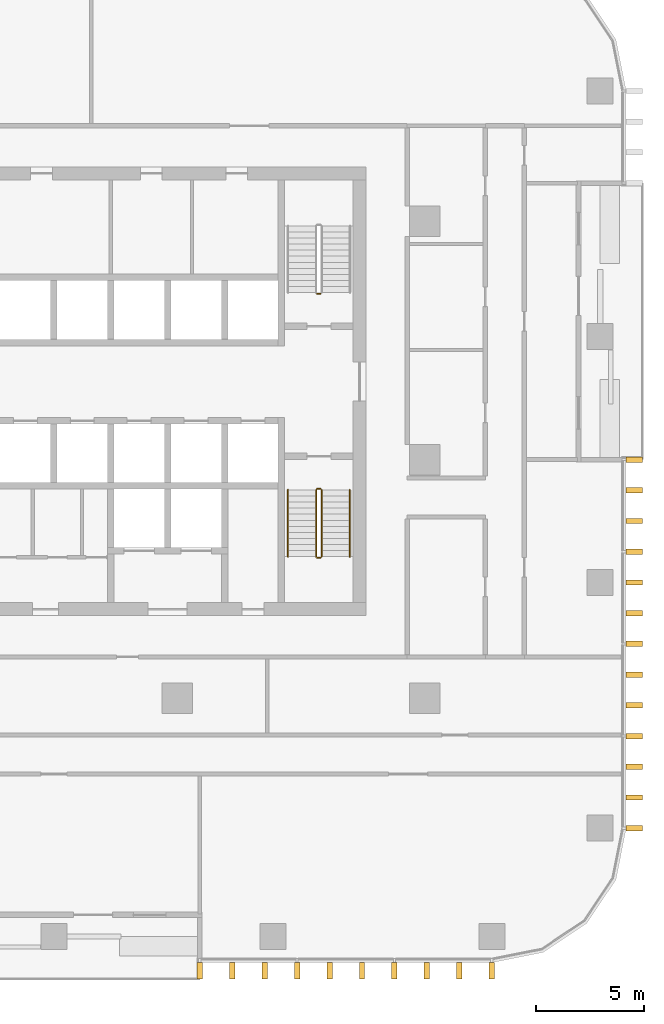
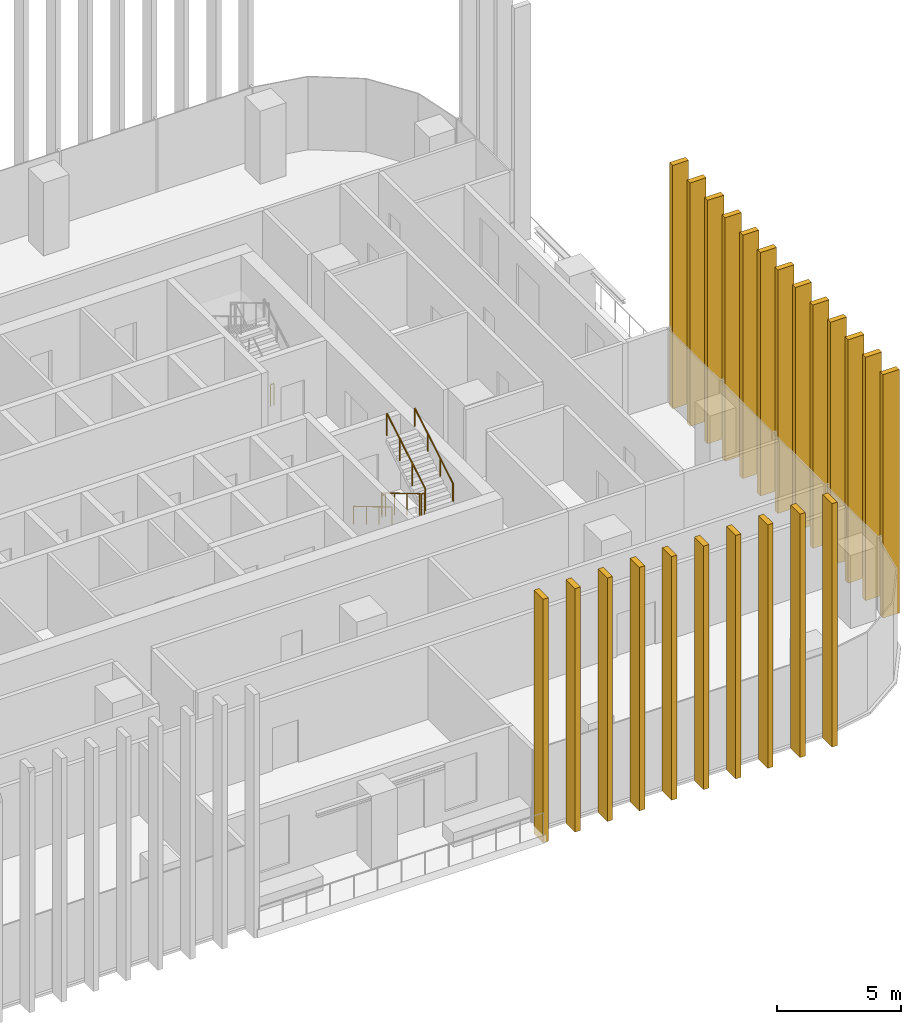
# One storey, part 14 of 15: 23 shading devices, 6 railings.
"""IFC4 building model written with IfcOpenShell, lengths in metres."""

from ifc_helpers import new_model, si_unit, direction, frame, origin, origin_2d, place, context, subcontext, project, spatial, rectangle, circle, extrude, material, type_object, element, save


model = new_model("IFC4")

# Units and contexts
model_context = context("Model", 3, precision=1e-05, world=origin(), true_north=direction((0.0, 1.0)))
body_context = subcontext(model_context, "Body", "Model", "MODEL_VIEW")
ifc_project = project(units=[si_unit("LENGTHUNIT", "METRE"), si_unit("AREAUNIT", "SQUARE_METRE"), si_unit("VOLUMEUNIT", "CUBIC_METRE"), si_unit("PLANEANGLEUNIT", "RADIAN"), si_unit("MASSUNIT", "GRAM", prefix="KILO")], contexts=[model_context])

# Site, building, storey
site_placement = place(None, origin())
site = spatial("IfcSite", under=ifc_project, at=site_placement, CompositionType="ELEMENT")
building_placement = place(site_placement, origin())
building = spatial("IfcBuilding", under=site, at=building_placement, Name="Mopane Tessera Tower", CompositionType="ELEMENT")
storey_placement = place(building_placement, frame((0.0, 0.0, 169.0)))
storey = spatial("IfcBuildingStorey", under=building, at=storey_placement, Name="L34", CompositionType="ELEMENT", Elevation=169.0)

# Shading devices
ifc_material_1 = material(Name="Glazed ceramic tile")
shading_device_type = type_object("IfcShadingDeviceType", Name="Ceramic tile fin 750 x 250 mm", PredefinedType="USERDEFINED", material=ifc_material_1)
for number, where, z_axis, x_axis, name in (
    (1, (6.7333984375, -23.574951171875, -0.39990234375), (0.0, 0.0, 1.0), (1.0, 0.0, 0.0), "e:fin:L34:S:6:0"),
    (2, (8.229736328125, -23.574951171875, -0.39990234375), (0.0, 0.0, 1.0), (1.0, 0.0, 0.0), "e:fin:L34:S:6:1"),
    (3, (9.725830078125, -23.574951171875, -0.39990234375), (0.0, 0.0, 1.0), (1.0, 0.0, 0.0), "e:fin:L34:S:6:2"),
    (4, (11.22216796875, -23.574951171875, -0.39990234375), (0.0, 0.0, 1.0), (1.0, 0.0, 0.0), "e:fin:L34:S:7:0"),
    (5, (12.718505859375, -23.574951171875, -0.39990234375), (0.0, 0.0, 1.0), (1.0, 0.0, 0.0), "e:fin:L34:S:7:1"),
    (6, (14.21484375, -23.574951171875, -0.39990234375), (0.0, 0.0, 1.0), (1.0, 0.0, 0.0), "e:fin:L34:S:7:2"),
    (7, (15.711181640625, -23.574951171875, -0.39990234375), (0.0, 0.0, 1.0), (1.0, 0.0, 0.0), "e:fin:L34:S:8:0"),
    (8, (17.20751953125, -23.574951171875, -0.39990234375), (0.0, 0.0, 1.0), (1.0, 0.0, 0.0), "e:fin:L34:S:8:1"),
    (9, (18.70361328125, -23.574951171875, -0.39990234375), (0.0, 0.0, 1.0), (1.0, 0.0, 0.0), "e:fin:L34:S:8:2"),
    (10, (20.199951171875, -23.574951171875, -0.39990234375), (0.0, 0.0, 1.0), (1.0, 0.0, 0.0), "e:fin:L34:S:8:3"),
    (11, (26.77490234375, -17.0, -0.39990234375), (0.0, 0.0, 1.0), (0.0, 1.0, 0.0), "e:fin:L34:E:0:0"),
    (12, (26.77490234375, -15.583251953125, -0.39990234375), (0.0, 0.0, 1.0), (0.0, 1.0, 0.0), "e:fin:L34:E:0:1"),
    (13, (26.77490234375, -14.166748046875, -0.39990234375), (0.0, 0.0, 1.0), (0.0, 1.0, 0.0), "e:fin:L34:E:0:2"),
    (14, (26.77490234375, -12.75, -0.39990234375), (0.0, 0.0, 1.0), (0.0, 1.0, 0.0), "e:fin:L34:E:1:0"),
    (15, (26.77490234375, -11.333251953125, -0.39990234375), (0.0, 0.0, 1.0), (0.0, 1.0, 0.0), "e:fin:L34:E:1:1"),
    (16, (26.77490234375, -9.916748046875, -0.39990234375), (0.0, 0.0, 1.0), (0.0, 1.0, 0.0), "e:fin:L34:E:1:2"),
    (17, (26.77490234375, -8.5, -0.39990234375), (0.0, 0.0, 1.0), (0.0, 1.0, 0.0), "e:fin:L34:E:2:0"),
    (18, (26.77490234375, -7.083251953125, -0.39990234375), (0.0, 0.0, 1.0), (0.0, 1.0, 0.0), "e:fin:L34:E:2:1"),
    (19, (26.77490234375, -5.666748046875, -0.39990234375), (0.0, 0.0, 1.0), (0.0, 1.0, 0.0), "e:fin:L34:E:2:2"),
    (20, (26.77490234375, -4.25, -0.39990234375), (0.0, 0.0, 1.0), (0.0, 1.0, 0.0), "e:fin:L34:E:3:0"),
    (21, (26.77490234375, -2.833251953125, -0.39990234375), (0.0, 0.0, 1.0), (0.0, 1.0, 0.0), "e:fin:L34:E:3:1"),
    (22, (26.77490234375, -1.416748046875, -0.39990234375), (0.0, 0.0, 1.0), (0.0, 1.0, 0.0), "e:fin:L34:E:3:2"),
    (23, (26.77490234375, 0.0, -0.39990234375), (0.0, 0.0, 1.0), (0.0, 1.0, 0.0), "e:fin:L34:E:3:3"),
):
    element("IfcShadingDevice", number, at=place(storey_placement, frame(where, z_axis=z_axis, x_axis=x_axis)), inside=storey, type_object=shading_device_type, Name=name, ObjectType="FIN", PredefinedType="USERDEFINED", context=body_context, shape_type="SweptSolid", body=[
        extrude(rectangle(XDim=0.25, YDim=0.75, at=origin_2d()), origin(), (0.0, 0.0, 1.0), 12.0),
    ])

# Railings
ifc_material_2 = material(Name="Powder-coated steel balustrade", Category="steel")
railing_type_1 = type_object("IfcRailingType", Name="Escape stair guard 1100 mm", PredefinedType="GUARDRAIL", material=ifc_material_2)
railing_1_placement = place(storey_placement, frame((12.10009765625, -1.39990234375, 0.166748046875)))
element("IfcRailing", 24, at=railing_1_placement, inside=storey, type_object=railing_type_1, Name="L34 ST3 stair guard 1", PredefinedType="GUARDRAIL", context=body_context, shape_type="SweptSolid", body=[
    extrude(circle(Radius=0.02392578125, at=origin_2d()), frame((0.0, 0.0, 1.076171875), z_axis=(0.0, -0.859308565015, 0.511457515432), x_axis=(1.0, 0.0, 0.0)), (0.0, 0.0, 1.0), 3.58447265625),
    extrude(circle(Radius=0.02392578125, at=origin_2d()), frame((0.0, -3.080078125, 2.9091796875), z_axis=(0.705375805398, -0.708833529934, 0.0), x_axis=(0.708833529934, 0.705375805398, 0.0)), (0.0, 0.0, 1.0), 0.070556640625),
    extrude(circle(Radius=0.02392578125, at=origin_2d()), frame((0.0498046875, -3.130126953125, 2.9091796875), z_axis=(1.0, 0.0, 0.0), x_axis=(0.0, 1.0, 0.0)), (0.0, 0.0, 1.0), 0.150146484375),
    extrude(circle(Radius=0.02099609375, at=origin_2d()), origin(), (0.0, 0.0, 1.0), 1.052001953125),
    extrude(circle(Radius=0.02099609375, at=origin_2d()), frame((0.0, -1.026611328125, 0.611083984375)), (0.0, 0.0, 1.0), 1.052001953125),
    extrude(circle(Radius=0.02099609375, at=origin_2d()), frame((0.0, -2.053466796875, 1.22216796875)), (0.0, 0.0, 1.0), 1.052001953125),
    extrude(circle(Radius=0.02099609375, at=origin_2d()), frame((0.0, -3.080078125, 1.833251953125)), (0.0, 0.0, 1.0), 1.052001953125),
    extrude(circle(Radius=0.02099609375, at=origin_2d()), frame((0.0498046875, -3.130126953125, 1.833251953125)), (0.0, 0.0, 1.0), 1.052001953125),
    extrude(circle(Radius=0.02099609375, at=origin_2d()), frame((0.199951171875, -3.130126953125, 1.833251953125)), (0.0, 0.0, 1.0), 1.052001953125),
])
railing_2_placement = place(storey_placement, frame((12.35009765625, -4.47998046875, 2.166748046875)))
element("IfcRailing", 25, at=railing_2_placement, inside=storey, type_object=railing_type_1, Name="L34 ST3 stair guard 2", PredefinedType="GUARDRAIL", context=body_context, shape_type="SweptSolid", body=[
    extrude(circle(Radius=0.02392578125, at=origin_2d()), frame((0.0, 0.0, 1.076171875), z_axis=(0.0, 0.859308565015, 0.511457515432), x_axis=(-1.0, 0.0, 0.0)), (0.0, 0.0, 1.0), 3.58447265625),
    extrude(circle(Radius=0.02099609375, at=origin_2d()), origin(), (0.0, 0.0, 1.0), 1.052001953125),
    extrude(circle(Radius=0.02099609375, at=origin_2d()), frame((0.0, 1.026611328125, 0.611083984375)), (0.0, 0.0, 1.0), 1.052001953125),
    extrude(circle(Radius=0.02099609375, at=origin_2d()), frame((0.0, 2.053466796875, 1.22216796875)), (0.0, 0.0, 1.0), 1.052001953125),
    extrude(circle(Radius=0.02099609375, at=origin_2d()), frame((0.0, 3.080078125, 1.833251953125)), (0.0, 0.0, 1.0), 1.052001953125),
])
railing_3_placement = place(storey_placement, frame((12.14990234375, -1.35009765625, 0.0)))
element("IfcRailing", 26, at=railing_3_placement, inside=storey, type_object=railing_type_1, Name="L34 ST3 stair guard 3", PredefinedType="GUARDRAIL", context=body_context, shape_type="SweptSolid", body=[
    extrude(circle(Radius=0.02392578125, at=origin_2d()), frame((0.0, 0.0, 1.076171875), z_axis=(1.0, 0.0, 0.0), x_axis=(0.0, 1.0, 0.0)), (0.0, 0.0, 1.0), 0.150146484375),
    extrude(circle(Radius=0.02099609375, at=origin_2d()), origin(), (0.0, 0.0, 1.0), 1.052001953125),
    extrude(circle(Radius=0.02099609375, at=origin_2d()), frame((0.150146484375, 0.0, 0.0)), (0.0, 0.0, 1.0), 1.052001953125),
])
railing_4_placement = place(storey_placement, frame((12.300048828125, 7.64990234375, 0.0)))
element("IfcRailing", 27, at=railing_4_placement, inside=storey, type_object=railing_type_1, Name="L34 ST4 stair guard 3", PredefinedType="GUARDRAIL", context=body_context, shape_type="SweptSolid", body=[
    extrude(circle(Radius=0.02392578125, at=origin_2d()), frame((0.0, 0.0, 1.076171875), z_axis=(-1.0, 0.0, 0.0), x_axis=(0.0, -1.0, 0.0)), (0.0, 0.0, 1.0), 0.150146484375),
    extrude(circle(Radius=0.02099609375, at=origin_2d()), origin(), (0.0, 0.0, 1.0), 1.052001953125),
    extrude(circle(Radius=0.02099609375, at=origin_2d()), frame((-0.150146484375, 0.0, 0.0)), (0.0, 0.0, 1.0), 1.052001953125),
])
ifc_material_3 = material(Name="Powder-coated steel balustrade", Category="steel")
railing_type_2 = type_object("IfcRailingType", Name="Escape stair handrail 900 mm", PredefinedType="HANDRAIL", material=ifc_material_3)
railing_5_placement = place(storey_placement, frame((10.800048828125, -1.39990234375, 0.166748046875)))
element("IfcRailing", 28, at=railing_5_placement, inside=storey, type_object=railing_type_2, Name="L34 ST3 stair handrail 1", PredefinedType="HANDRAIL", context=body_context, shape_type="SweptSolid", body=[
    extrude(circle(Radius=0.02392578125, at=origin_2d()), frame((0.0, 0.0, 0.8759765625), z_axis=(0.0, -0.859308565015, 0.511457515432), x_axis=(1.0, 0.0, 0.0)), (0.0, 0.0, 1.0), 3.58447265625),
    extrude(circle(Radius=0.02099609375, at=origin_2d()), origin(), (0.0, 0.0, 1.0), 0.851806640625),
    extrude(circle(Radius=0.02099609375, at=origin_2d()), frame((0.0, -1.026611328125, 0.611083984375)), (0.0, 0.0, 1.0), 0.851806640625),
    extrude(circle(Radius=0.02099609375, at=origin_2d()), frame((0.0, -2.053466796875, 1.22216796875)), (0.0, 0.0, 1.0), 0.851806640625),
    extrude(circle(Radius=0.02099609375, at=origin_2d()), frame((0.0, -3.080078125, 1.833251953125)), (0.0, 0.0, 1.0), 0.851806640625),
])
railing_6_placement = place(storey_placement, frame((13.64990234375, -4.47998046875, 2.166748046875)))
element("IfcRailing", 29, at=railing_6_placement, inside=storey, type_object=railing_type_2, Name="L34 ST3 stair handrail 2", PredefinedType="HANDRAIL", context=body_context, shape_type="SweptSolid", body=[
    extrude(circle(Radius=0.02392578125, at=origin_2d()), frame((0.0, 0.0, 0.8759765625), z_axis=(0.0, 0.859308565015, 0.511457515432), x_axis=(-1.0, 0.0, 0.0)), (0.0, 0.0, 1.0), 3.58447265625),
    extrude(circle(Radius=0.02099609375, at=origin_2d()), origin(), (0.0, 0.0, 1.0), 0.851806640625),
    extrude(circle(Radius=0.02099609375, at=origin_2d()), frame((0.0, 1.026611328125, 0.611083984375)), (0.0, 0.0, 1.0), 0.851806640625),
    extrude(circle(Radius=0.02099609375, at=origin_2d()), frame((0.0, 2.053466796875, 1.22216796875)), (0.0, 0.0, 1.0), 0.851806640625),
    extrude(circle(Radius=0.02099609375, at=origin_2d()), frame((0.0, 3.080078125, 1.833251953125)), (0.0, 0.0, 1.0), 0.851806640625),
])

save(model, "model.ifc")
